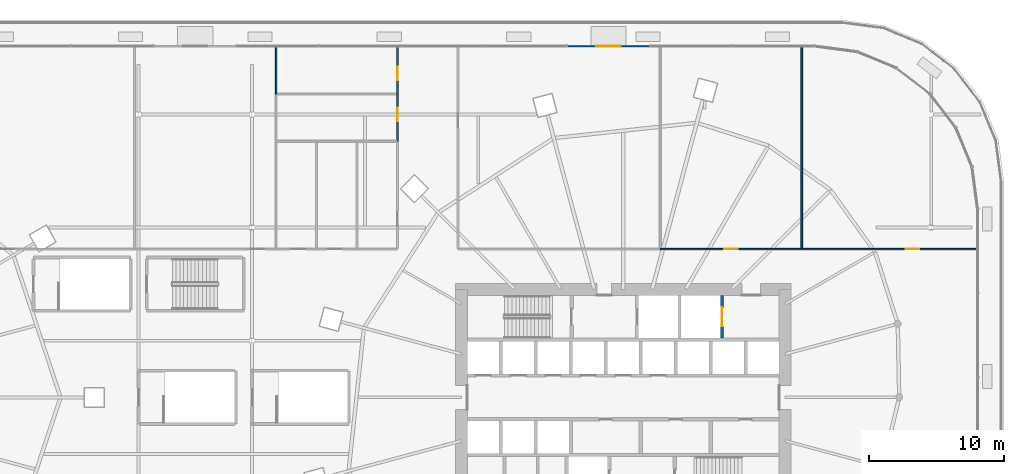
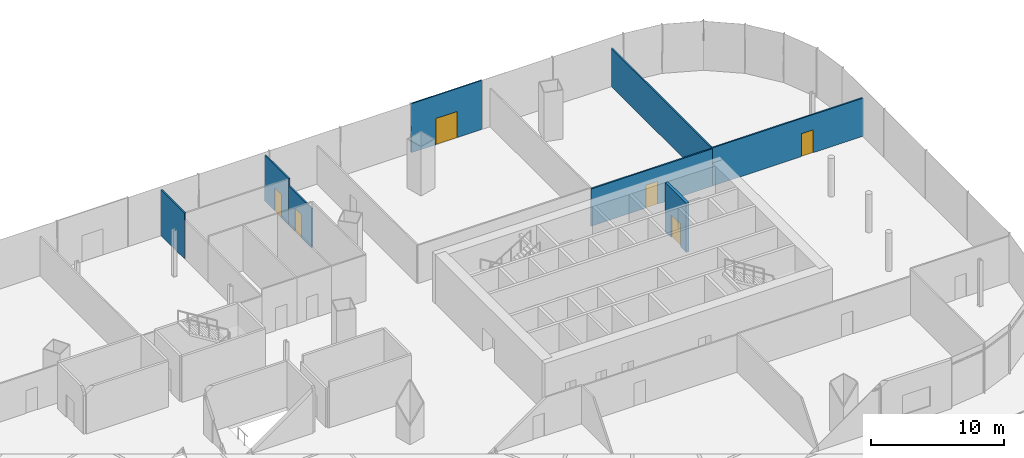
# One storey, part 38 of 49: 8 walls, 6 doors, 6 openings.
"""IFC4 building model written with IfcOpenShell, lengths in metres."""

from ifc_helpers import new_model, si_unit, direction, frame, frame_2d, origin, place, context, subcontext, project, spatial, rectangle, extrude, material, layer, layer_set, type_object, element, fill, save


model = new_model("IFC4")

# Units and contexts
model_context = context("Model", 3, precision=1e-05, world=origin(), true_north=direction((0.0, 1.0)))
body_context = subcontext(model_context, "Body", "Model", "MODEL_VIEW")
ifc_project = project(units=[si_unit("LENGTHUNIT", "METRE"), si_unit("AREAUNIT", "SQUARE_METRE"), si_unit("VOLUMEUNIT", "CUBIC_METRE"), si_unit("PLANEANGLEUNIT", "RADIAN"), si_unit("MASSUNIT", "GRAM", prefix="KILO")], contexts=[model_context])

# Site, building, storey
site_placement = place(None, origin())
site = spatial("IfcSite", under=ifc_project, at=site_placement, CompositionType="ELEMENT")
building_placement = place(site_placement, origin())
building = spatial("IfcBuilding", under=site, at=building_placement, Name="Rimbun Link Towers", CompositionType="ELEMENT")
storey_placement = place(building_placement, frame((0.0, 0.0, 25.5)))
storey = spatial("IfcBuildingStorey", under=building, at=storey_placement, Name="L05", CompositionType="ELEMENT", Elevation=25.5)

# Wall, opening, door
ifc_material_1 = material(Name="Aluminium framed insulated infill panel", Category="aluminium")
ifc_layer_1 = layer(ifc_material_1, 0.10009765625)
ifc_layer_set_1 = layer_set([ifc_layer_1], Name="ED framed infill wall 100")
wall_type_1 = type_object("IfcWallType", Name="ED framed infill wall 100", PredefinedType="STANDARD", material=ifc_layer_set_1)
wall_1_placement = place(storey_placement, frame((27.6201171875, 26.050048828125, 0.0), z_axis=(0.0, 0.0, 1.0), x_axis=(1.0, 0.0, 0.0)))
wall_1 = element("IfcWall", 1, at=wall_1_placement, inside=storey, type_object=wall_type_1, Name="Framed door bay wall", PredefinedType="STANDARD", context=body_context, shape_type="SweptSolid", body=[
    extrude(rectangle(XDim=6.09326171875, YDim=0.10009765625, at=frame_2d((3.046630859375, 0.0))), origin(), (0.0, 0.0, 1.0), 4.5),
])
opening_1_placement = place(wall_1_placement, frame((2.146728515625, 0.0, 0.0)))
opening_1 = element("IfcOpeningElement", 2, at=opening_1_placement, cuts=wall_1, Name="Opening ED44", PredefinedType="OPENING", context=body_context, shape_type="SweptSolid", body=[
    extrude(rectangle(XDim=1.800048828125, YDim=2.39990234375, at=frame_2d((0.89990234375, 1.199951171875))), frame((0.0, 0.06005859375, 0.0), z_axis=(0.0, -1.0, 0.0), x_axis=(1.0, 0.0, 0.0)), (0.0, 0.0, 1.0), 0.1201171875),
])
ifc_material_2 = material(Name="Aluminium framed glazed door, low-iron glass", Category="aluminium")
door_type_1 = type_object("IfcDoorType", Name="ED terrace door double leaf 1800X2400", OperationType="DOUBLE_DOOR_SINGLE_SWING", PredefinedType="DOOR", material=ifc_material_2)
door_1_placement = place(opening_1_placement, origin())
door_1 = element("IfcDoor", 3, at=door_1_placement, inside=storey, type_object=door_type_1, Name="Terrace door", OperationType="SINGLE_SWING_LEFT", OverallHeight=2.39990234375, OverallWidth=1.800048828125, PredefinedType="DOOR", context=body_context, shape_type="SweptSolid", body=[
    extrude(rectangle(XDim=1.800048828125, YDim=2.39990234375, at=frame_2d((0.89990234375, 1.199951171875))), frame((0.0, 0.02490234375, 0.0), z_axis=(0.0, -1.0, 0.0), x_axis=(1.0, 0.0, 0.0)), (0.0, 0.0, 1.0), 0.050048828125),
])
fill(opening_1, door_1)

ifc_material_3 = material(Name="Gypsum board on steel studs", Category="steel")
ifc_layer_2 = layer(ifc_material_3, 0.125)
ifc_layer_set_2 = layer_set([ifc_layer_2], Name="Partition 125 board on studs")
wall_type_2 = type_object("IfcWallType", Name="Partition 125 board on studs", PredefinedType="PARTITIONING", material=ifc_layer_set_2)
wall_2_placement = place(storey_placement, frame((45.0, 11.0, 0.0), z_axis=(0.0, 0.0, 1.0), x_axis=(-1.0, 0.0, 0.0)))
wall_2 = element("IfcWall", 4, at=wall_2_placement, inside=storey, type_object=wall_type_2, Name="PD/PW/L05/044", PredefinedType="PARTITIONING", context=body_context, shape_type="SweptSolid", body=[
    extrude(rectangle(XDim=10.5, YDim=0.125, at=frame_2d((5.25, 0.0))), origin(), (0.0, 0.0, 1.0), 3.41796875),
])
opening_2_placement = place(wall_2_placement, frame((4.75, 0.0, 0.0)))
opening_2 = element("IfcOpeningElement", 5, at=opening_2_placement, cuts=wall_2, Name="Opening PD D05.22", PredefinedType="OPENING", context=body_context, shape_type="SweptSolid", body=[
    extrude(rectangle(XDim=1.0, YDim=2.10009765625, at=frame_2d((0.5, 1.050048828125))), frame((0.0, 0.072509765625, 0.0), z_axis=(0.0, -1.0, 0.0), x_axis=(1.0, 0.0, 0.0)), (0.0, 0.0, 1.0), 0.14501953125),
])
ifc_material_4 = material(Name="Timber door set", Category="wood")
door_type_2 = type_object("IfcDoorType", Name="Door single leaf 1000 x 2100", OperationType="NOTDEFINED", PredefinedType="DOOR", material=ifc_material_4)
door_2_placement = place(opening_2_placement, origin())
door_2 = element("IfcDoor", 6, at=door_2_placement, inside=storey, type_object=door_type_2, Name="PD/DR/L05/022", OperationType="SINGLE_SWING_LEFT", OverallHeight=2.10009765625, OverallWidth=1.0, PredefinedType="DOOR", context=body_context, shape_type="SweptSolid", body=[
    extrude(rectangle(XDim=1.0, YDim=2.10009765625, at=frame_2d((0.5, 1.050048828125))), frame((0.0, 0.02490234375, 0.0), z_axis=(0.0, -1.0, 0.0), x_axis=(1.0, 0.0, 0.0)), (0.0, 0.0, 1.0), 0.050048828125),
])
fill(opening_2, door_2)

wall_3_placement = place(storey_placement, frame((58.080078125, 11.0, 0.0), z_axis=(0.0, 0.0, 1.0), x_axis=(-1.0, 0.0, 0.0)))
wall_3 = element("IfcWall", 7, at=wall_3_placement, inside=storey, type_object=wall_type_2, Name="PD/PW/L05/045", PredefinedType="PARTITIONING", context=body_context, shape_type="SweptSolid", body=[
    extrude(rectangle(XDim=13.080078125, YDim=0.125, at=frame_2d((6.5400390625, 0.0))), origin(), (0.0, 0.0, 1.0), 3.49609375),
])
opening_3_placement = place(wall_3_placement, frame((4.363037109375, 0.0, 0.0)))
opening_3 = element("IfcOpeningElement", 8, at=opening_3_placement, cuts=wall_3, Name="Opening PD D05.23", PredefinedType="OPENING", context=body_context, shape_type="SweptSolid", body=[
    extrude(rectangle(XDim=1.0, YDim=2.10009765625, at=frame_2d((0.5, 1.050048828125))), frame((0.0, 0.072509765625, 0.0), z_axis=(0.0, -1.0, 0.0), x_axis=(1.0, 0.0, 0.0)), (0.0, 0.0, 1.0), 0.14501953125),
])
door_3_placement = place(opening_3_placement, origin())
door_3 = element("IfcDoor", 9, at=door_3_placement, inside=storey, type_object=door_type_2, Name="PD/DR/L05/023", OperationType="SINGLE_SWING_RIGHT", OverallHeight=2.10009765625, OverallWidth=1.0, PredefinedType="DOOR", context=body_context, shape_type="SweptSolid", body=[
    extrude(rectangle(XDim=1.0, YDim=2.10009765625, at=frame_2d((0.5, 1.050048828125))), frame((0.0, 0.02490234375, 0.0), z_axis=(0.0, -1.0, 0.0), x_axis=(1.0, 0.0, 0.0)), (0.0, 0.0, 1.0), 0.050048828125),
])
fill(opening_3, door_3)

wall_4_placement = place(storey_placement, frame((15.0, 22.5, 0.0), z_axis=(0.0, 0.0, 1.0), x_axis=(0.0, -1.0, 0.0)))
wall_4 = element("IfcWall", 10, at=wall_4_placement, inside=storey, type_object=wall_type_2, Name="PD/PW/L05/056", PredefinedType="PARTITIONING", context=body_context, shape_type="SweptSolid", body=[
    extrude(rectangle(XDim=3.5, YDim=0.125, at=frame_2d((1.75, 0.0))), origin(), (0.0, 0.0, 1.0), 3.576904296875),
])
opening_4_placement = place(wall_4_placement, frame((1.010009765625, 0.0, 0.0)))
opening_4 = element("IfcOpeningElement", 11, at=opening_4_placement, cuts=wall_4, Name="Opening PD D05.14", PredefinedType="OPENING", context=body_context, shape_type="SweptSolid", body=[
    extrude(rectangle(XDim=1.0, YDim=2.10009765625, at=frame_2d((0.5, 1.050048828125))), frame((0.0, 0.072509765625, 0.0), z_axis=(0.0, -1.0, 0.0), x_axis=(1.0, 0.0, 0.0)), (0.0, 0.0, 1.0), 0.14501953125),
])
door_4_placement = place(opening_4_placement, origin())
door_4 = element("IfcDoor", 12, at=door_4_placement, inside=storey, type_object=door_type_2, Name="PD/DR/L05/014", OperationType="SINGLE_SWING_LEFT", OverallHeight=2.10009765625, OverallWidth=1.0, PredefinedType="DOOR", context=body_context, shape_type="SweptSolid", body=[
    extrude(rectangle(XDim=1.0, YDim=2.10009765625, at=frame_2d((0.5, 1.050048828125))), frame((0.0, 0.02490234375, 0.0), z_axis=(0.0, -1.0, 0.0), x_axis=(1.0, 0.0, 0.0)), (0.0, 0.0, 1.0), 0.050048828125),
])
fill(opening_4, door_4)

wall_5_placement = place(storey_placement, frame((15.0, 26.080078125, 0.0), z_axis=(0.0, 0.0, 1.0), x_axis=(0.0, -1.0, 0.0)))
wall_5 = element("IfcWall", 13, at=wall_5_placement, inside=storey, type_object=wall_type_2, Name="PD/PW/L05/057", PredefinedType="PARTITIONING", context=body_context, shape_type="SweptSolid", body=[
    extrude(rectangle(XDim=3.580078125, YDim=0.125, at=frame_2d((1.7900390625, 0.0))), origin(), (0.0, 0.0, 1.0), 4.199951171875),
])
opening_5_placement = place(wall_5_placement, frame((1.5419921875, 0.0, 0.0)))
opening_5 = element("IfcOpeningElement", 14, at=opening_5_placement, cuts=wall_5, Name="Opening PD D05.15", PredefinedType="OPENING", context=body_context, shape_type="SweptSolid", body=[
    extrude(rectangle(XDim=1.0, YDim=2.10009765625, at=frame_2d((0.5, 1.050048828125))), frame((0.0, 0.072509765625, 0.0), z_axis=(0.0, -1.0, 0.0), x_axis=(1.0, 0.0, 0.0)), (0.0, 0.0, 1.0), 0.14501953125),
])
door_5_placement = place(opening_5_placement, origin())
door_5 = element("IfcDoor", 15, at=door_5_placement, inside=storey, type_object=door_type_2, Name="PD/DR/L05/015", OperationType="SINGLE_SWING_RIGHT", OverallHeight=2.10009765625, OverallWidth=1.0, PredefinedType="DOOR", context=body_context, shape_type="SweptSolid", body=[
    extrude(rectangle(XDim=1.0, YDim=2.10009765625, at=frame_2d((0.5, 1.050048828125))), frame((0.0, 0.02490234375, 0.0), z_axis=(0.0, -1.0, 0.0), x_axis=(1.0, 0.0, 0.0)), (0.0, 0.0, 1.0), 0.050048828125),
])
fill(opening_5, door_5)

# Walls
wall_6_placement = place(storey_placement, frame((6.0, 26.080078125, 0.0), z_axis=(0.0, 0.0, 1.0), x_axis=(0.0, -1.0, 0.0)))
element("IfcWall", 16, at=wall_6_placement, inside=storey, type_object=wall_type_2, Name="PD/PW/L05/067", PredefinedType="PARTITIONING", context=body_context, shape_type="SweptSolid", body=[
    extrude(rectangle(XDim=3.60009765625, YDim=0.125, at=frame_2d((1.800048828125, 0.0))), origin(), (0.0, 0.0, 1.0), 4.199951171875),
])
wall_7_placement = place(storey_placement, frame((45.0, 11.0625, 0.0), z_axis=(0.0, 0.0, 1.0), x_axis=(0.0, 1.0, 0.0)))
element("IfcWall", 17, at=wall_7_placement, inside=storey, type_object=wall_type_2, Name="PD/PW/L05/073", PredefinedType="PARTITIONING", context=body_context, shape_type="SweptSolid", body=[
    extrude(rectangle(XDim=15.017578125, YDim=0.125, at=frame_2d((7.5087890625, 0.0))), origin(), (0.0, 0.0, 1.0), 3.49609375),
])

# Wall, opening, door
ifc_material_5 = material(Name="Concrete C60/75", Category="concrete")
ifc_layer_3 = layer(ifc_material_5, 0.25)
ifc_layer_set_3 = layer_set([ifc_layer_3], Name="Shaft wall 250")
wall_type_3 = type_object("IfcWallType", Name="Shaft wall 250", PredefinedType="SHEAR", material=ifc_layer_set_3)
wall_8_placement = place(storey_placement, frame((39.074951171875, 4.39990234375, 0.0), z_axis=(0.0, 0.0, 1.0), x_axis=(0.0, 1.0, 0.0)))
wall_8 = element("IfcWall", 18, at=wall_8_placement, inside=storey, type_object=wall_type_3, Name="L05 T2 core wall A4", PredefinedType="SHEAR", context=body_context, shape_type="SweptSolid", body=[
    extrude(rectangle(XDim=3.150146484375, YDim=0.25, at=frame_2d((1.5751953125, 0.0))), origin(), (0.0, 0.0, 1.0), 4.5),
])
opening_6_placement = place(wall_8_placement, frame((0.875, 0.0, 0.0)))
opening_6 = element("IfcOpeningElement", 19, at=opening_6_placement, cuts=wall_8, Name="Opening LD-T2-GL1", PredefinedType="OPENING", context=body_context, shape_type="SweptSolid", body=[
    extrude(rectangle(XDim=1.39990234375, YDim=2.10009765625, at=frame_2d((0.699951171875, 1.050048828125))), frame((0.0, 0.135009765625, 0.0), z_axis=(0.0, -1.0, 0.0), x_axis=(1.0, 0.0, 0.0)), (0.0, 0.0, 1.0), 0.27001953125),
])
ifc_material_6 = material(Name="Stainless steel grade 316", Category="steel")
door_type_3 = type_object("IfcDoorType", Name="Goods lift landing door", OperationType="DOUBLE_DOOR_SLIDING", PredefinedType="DOOR", material=ifc_material_6)
door_6_placement = place(opening_6_placement, origin())
door_6 = element("IfcDoor", 20, at=door_6_placement, inside=storey, type_object=door_type_3, Name="L05 T2 lift GL1 landing door", OperationType="DOUBLE_DOOR_SLIDING", OverallHeight=2.10009765625, OverallWidth=1.39990234375, PredefinedType="DOOR", context=body_context, shape_type="SweptSolid", body=[
    extrude(rectangle(XDim=1.39990234375, YDim=2.10009765625, at=frame_2d((0.699951171875, 1.050048828125))), frame((0.0, 0.02490234375, 0.0), z_axis=(0.0, -1.0, 0.0), x_axis=(1.0, 0.0, 0.0)), (0.0, 0.0, 1.0), 0.050048828125),
])
fill(opening_6, door_6)

save(model, "model.ifc")
